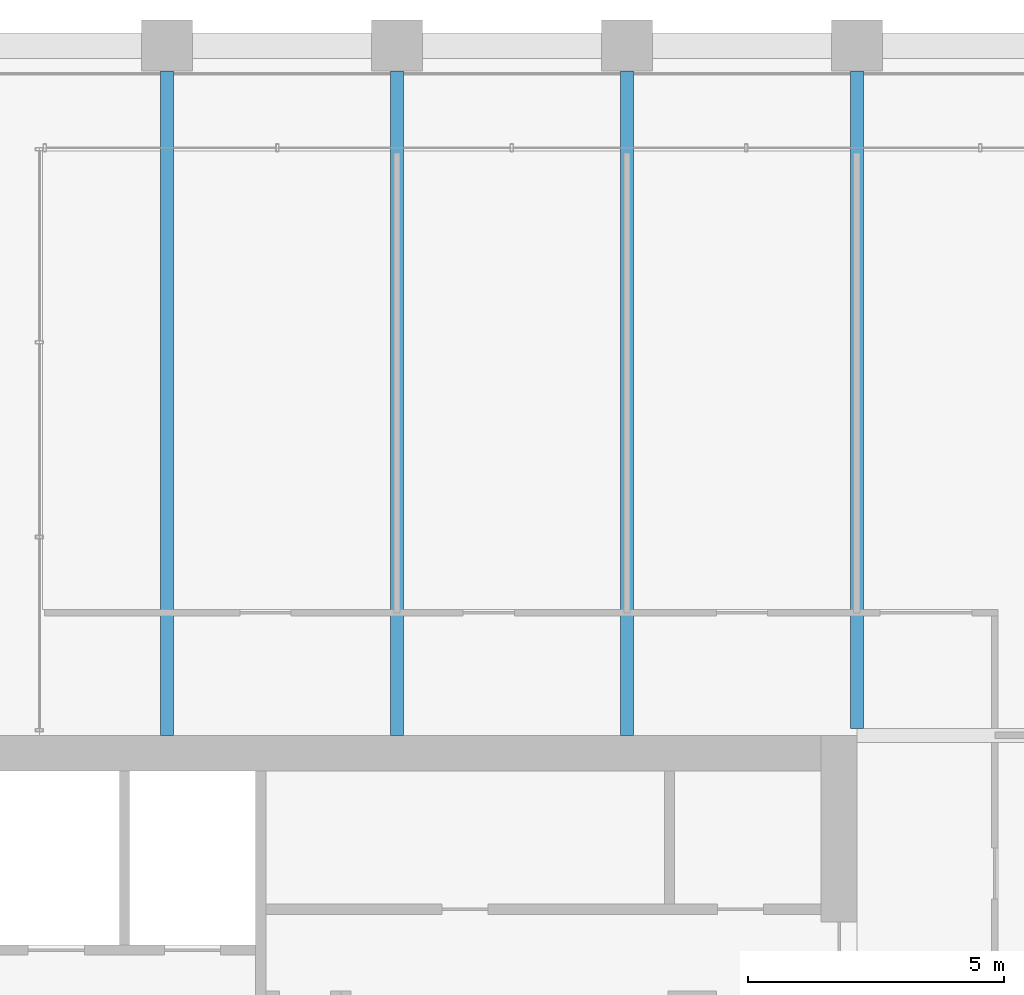
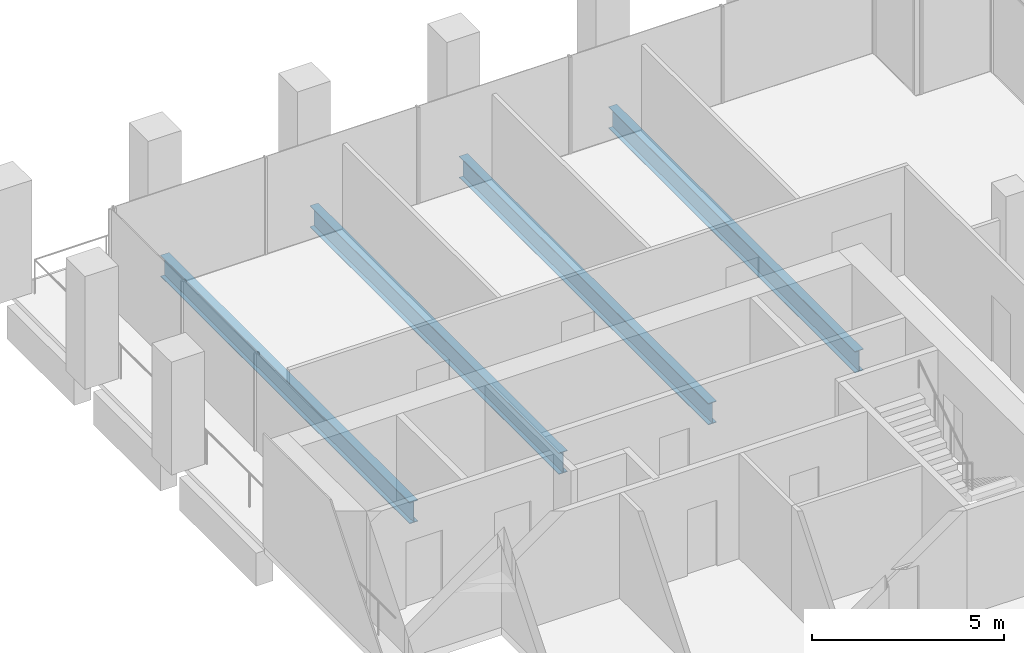
# One storey, part 22 of 47: 4 beams.
"""IFC4 building model written with IfcOpenShell, lengths in metres."""

from ifc_helpers import new_model, si_unit, direction, frame, origin, origin_2d, place, context, subcontext, project, spatial, i_section, extrude, material, material_profile, profile_set, type_object, element, save


model = new_model("IFC4")

# Units and contexts
model_context = context("Model", 3, precision=1e-05, world=origin(), true_north=direction((0.0, 1.0)))
body_context = subcontext(model_context, "Body", "Model", "MODEL_VIEW")
ifc_project = project(units=[si_unit("LENGTHUNIT", "METRE"), si_unit("AREAUNIT", "SQUARE_METRE"), si_unit("VOLUMEUNIT", "CUBIC_METRE"), si_unit("PLANEANGLEUNIT", "RADIAN"), si_unit("MASSUNIT", "GRAM", prefix="KILO")], contexts=[model_context])

# Site, building, storey
site_placement = place(None, origin())
site = spatial("IfcSite", under=ifc_project, at=site_placement, CompositionType="ELEMENT")
building_placement = place(site_placement, origin())
building = spatial("IfcBuilding", under=site, at=building_placement, Name="Altepetl Exchange Towers", CompositionType="ELEMENT")
storey_placement = place(building_placement, frame((0.0, 0.0, 99.199951171875)))
storey = spatial("IfcBuildingStorey", under=building, at=storey_placement, Name="L24", CompositionType="ELEMENT", Elevation=99.199951171875)

# Beams
ifc_material = material(Name="Steel S355", Category="steel")
ifc_material_profile = material_profile(ifc_material, i_section(OverallWidth=0.25390625, OverallDepth=0.68408203125, WebThickness=0.012451171875, FlangeThickness=0.018798828125, at=origin_2d()), Name="W27X94")
ifc_profile_set = profile_set([ifc_material_profile], Name="Steel S355")
beam_type = type_object("IfcBeamType", Name="Floor beam W27X94", PredefinedType="BEAM", material=ifc_profile_set)
for number, where, z_axis, x_axis, name in (
    (1, (45.0, 58.5, -0.491943359375), (0.0, 1.0, 0.0), (-1.0, 0.0, 0.0), "bm:A:L24:000"),
    (2, (49.5, 58.5, -0.491943359375), (0.0, 1.0, 0.0), (-1.0, 0.0, 0.0), "bm:A:L24:001"),
    (3, (54.0, 58.5, -0.491943359375), (0.0, 1.0, 0.0), (-1.0, 0.0, 0.0), "bm:A:L24:002"),
):
    element("IfcBeam", number, at=place(storey_placement, frame(where, z_axis=z_axis, x_axis=x_axis)), inside=storey, type_object=beam_type, Name=name, PredefinedType="BEAM", context=body_context, shape_type="SweptSolid", body=[
        extrude(i_section(OverallWidth=0.25390625, OverallDepth=0.68408203125, WebThickness=0.012451171875, FlangeThickness=0.018798828125, at=origin_2d()), origin(), (0.0, 0.0, 1.0), 13.0),
    ])
beam_placement = place(storey_placement, frame((58.5, 58.634033203125, -0.491943359375), z_axis=(0.0, 1.0, 0.0), x_axis=(-1.0, 0.0, 0.0)))
element("IfcBeam", 4, at=beam_placement, inside=storey, type_object=beam_type, Name="bm:A:L24:003", PredefinedType="BEAM", context=body_context, shape_type="SweptSolid", body=[
    extrude(i_section(OverallWidth=0.25390625, OverallDepth=0.68408203125, WebThickness=0.012451171875, FlangeThickness=0.018798828125, at=origin_2d()), origin(), (0.0, 0.0, 1.0), 12.865966796875),
])

save(model, "model.ifc")
